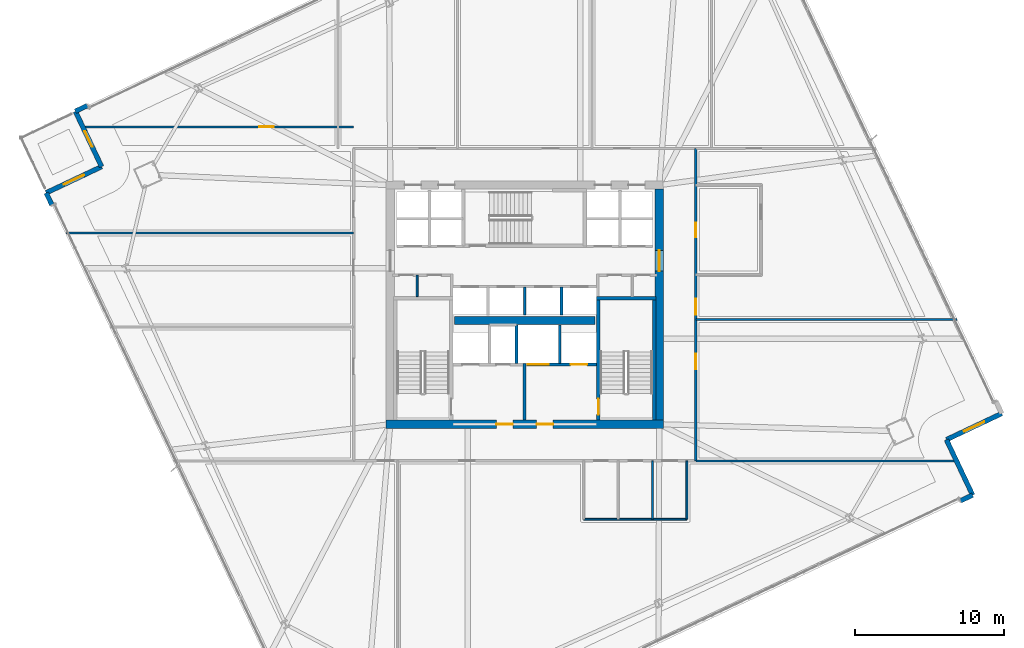
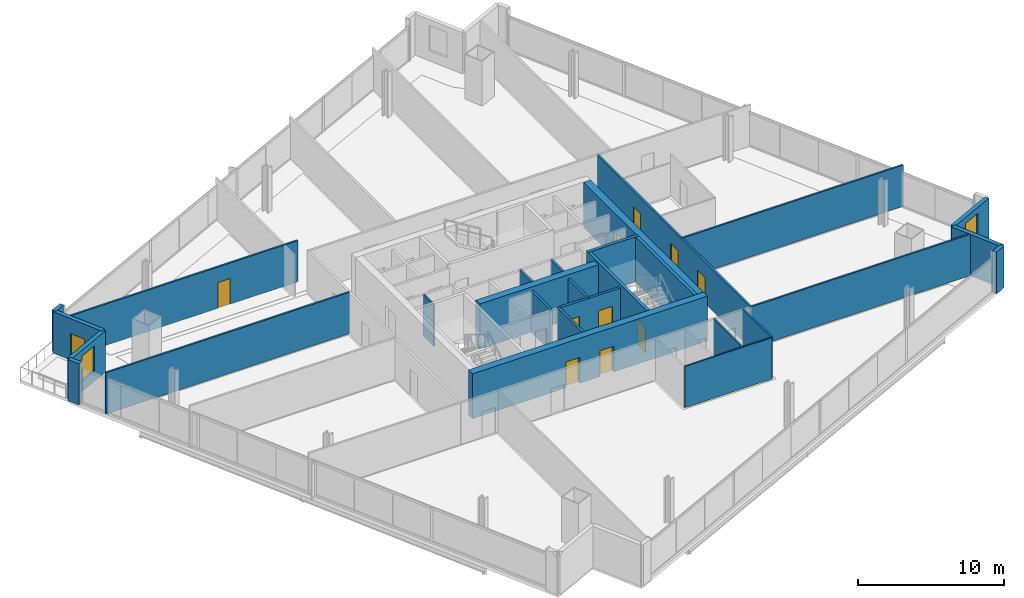
# One storey, part 26 of 34: 28 walls, 11 doors, 2 windows, 13 openings.
"""IFC4 building model written with IfcOpenShell, lengths in metres."""

from ifc_helpers import new_model, si_unit, direction, frame, frame_2d, origin, place, context, subcontext, project, spatial, rectangle, extrude, material, layer, layer_set, type_object, element, fill, save


model = new_model("IFC4")

# Units and contexts
model_context = context("Model", 3, precision=1e-05, world=origin(), true_north=direction((0.0, 1.0)))
body_context = subcontext(model_context, "Body", "Model", "MODEL_VIEW")
ifc_project = project(units=[si_unit("LENGTHUNIT", "METRE"), si_unit("AREAUNIT", "SQUARE_METRE"), si_unit("VOLUMEUNIT", "CUBIC_METRE"), si_unit("PLANEANGLEUNIT", "RADIAN"), si_unit("MASSUNIT", "GRAM", prefix="KILO")], contexts=[model_context])

# Site, building, storey
site_placement = place(None, origin())
site = spatial("IfcSite", under=ifc_project, at=site_placement, CompositionType="ELEMENT")
building_placement = place(site_placement, origin())
building = spatial("IfcBuilding", under=site, at=building_placement, Name="Haldenkirk Collegiate Tower", CompositionType="ELEMENT")
storey_placement = place(building_placement, frame((0.0, 0.0, 112.949951171875)))
storey = spatial("IfcBuildingStorey", under=building, at=storey_placement, Name="L27", CompositionType="ELEMENT", Elevation=112.949951171875)

# Wall, openings, doors
ifc_material_1 = material(Name="Concrete f'c 70 MPa", Category="concrete")
ifc_layer_1 = layer(ifc_material_1, 0.550048828125)
ifc_layer_set_1 = layer_set([ifc_layer_1], Name="Concrete f'c 70 MPa")
wall_type_1 = type_object("IfcWallType", Name="WL-CORE-550", PredefinedType="SHEAR", material=ifc_layer_set_1)
wall_1_placement = place(storey_placement, frame((26.72509765625, 18.0, 0.0), z_axis=(0.0, 0.0, 1.0), x_axis=(1.0, 0.0, 0.0)))
wall_1 = element("IfcWall", 1, at=wall_1_placement, inside=storey, type_object=wall_type_1, Name="L27 central core shear wall S", PredefinedType="SHEAR", context=body_context, shape_type="SweptSolid", body=[
    extrude(rectangle(XDim=18.5498046875, YDim=0.550048828125, at=frame_2d((9.27490234375, 0.0))), origin(), (0.0, 0.0, 1.0), 3.75),
])
opening_1_placement = place(wall_1_placement, frame((7.375, 0.0, 0.0)))
opening_1 = element("IfcOpeningElement", 2, at=opening_1_placement, cuts=wall_1, Name="Opening D-02", PredefinedType="OPENING", context=body_context, shape_type="SweptSolid", body=[
    extrude(rectangle(XDim=1.10009765625, YDim=2.14990234375, at=frame_2d((0.550048828125, 1.074951171875))), frame((0.0, 0.284912109375, 0.0), z_axis=(0.0, -1.0, 0.0), x_axis=(1.0, 0.0, 0.0)), (0.0, 0.0, 1.0), 0.570068359375),
])
opening_2_placement = place(wall_1_placement, frame((10.074951171875, 0.0, 0.0)))
opening_2 = element("IfcOpeningElement", 3, at=opening_2_placement, cuts=wall_1, Name="Opening D-02", PredefinedType="OPENING", context=body_context, shape_type="SweptSolid", body=[
    extrude(rectangle(XDim=1.10009765625, YDim=2.14990234375, at=frame_2d((0.550048828125, 1.074951171875))), frame((0.0, 0.284912109375, 0.0), z_axis=(0.0, -1.0, 0.0), x_axis=(1.0, 0.0, 0.0)), (0.0, 0.0, 1.0), 0.570068359375),
])
ifc_material_2 = material(Name="Galvanized fire-rated hollow steel door", Category="steel")
ifc_layer_2 = layer(ifc_material_2, 0.06005859375)
ifc_layer_set_2 = layer_set([ifc_layer_2], Name="Galvanized fire-rated hollow steel door")
door_type_1 = type_object("IfcDoorType", Name="DR-STAIR-FD90-1100", OperationType="NOTDEFINED", PredefinedType="DOOR", material=ifc_layer_set_2)
door_1_placement = place(opening_1_placement, origin())
door_1 = element("IfcDoor", 4, at=door_1_placement, inside=storey, type_object=door_type_1, Name="L27 Firefighting Lobby 1 door", OperationType="SINGLE_SWING_RIGHT", OverallHeight=2.14990234375, OverallWidth=1.10009765625, PredefinedType="DOOR", context=body_context, shape_type="SweptSolid", body=[
    extrude(rectangle(XDim=1.10009765625, YDim=2.14990234375, at=frame_2d((0.550048828125, 1.074951171875))), frame((0.0, 0.02490234375, 0.0), z_axis=(0.0, -1.0, 0.0), x_axis=(1.0, 0.0, 0.0)), (0.0, 0.0, 1.0), 0.050048828125),
])
fill(opening_1, door_1)
door_2_placement = place(opening_2_placement, origin())
door_2 = element("IfcDoor", 5, at=door_2_placement, inside=storey, type_object=door_type_1, Name="L27 Firefighting Lobby 2 door", OperationType="SINGLE_SWING_LEFT", OverallHeight=2.14990234375, OverallWidth=1.10009765625, PredefinedType="DOOR", context=body_context, shape_type="SweptSolid", body=[
    extrude(rectangle(XDim=1.10009765625, YDim=2.14990234375, at=frame_2d((0.550048828125, 1.074951171875))), frame((0.0, 0.02490234375, 0.0), z_axis=(0.0, -1.0, 0.0), x_axis=(1.0, 0.0, 0.0)), (0.0, 0.0, 1.0), 0.050048828125),
])
fill(opening_2, door_2)

# Wall, opening, door
wall_2_placement = place(storey_placement, frame((45.0, 18.27490234375, 0.0), z_axis=(0.0, 0.0, 1.0), x_axis=(0.0, 1.0, 0.0)))
wall_2 = element("IfcWall", 6, at=wall_2_placement, inside=storey, type_object=wall_type_1, Name="L27 central core shear wall E", PredefinedType="SHEAR", context=body_context, shape_type="SweptSolid", body=[
    extrude(rectangle(XDim=15.4501953125, YDim=0.550048828125, at=frame_2d((7.72509765625, 0.0))), origin(), (0.0, 0.0, 1.0), 3.75),
])
opening_3_placement = place(wall_2_placement, frame((9.965087890625, 0.0, 0.0)))
opening_3 = element("IfcOpeningElement", 7, at=opening_3_placement, cuts=wall_2, Name="Opening D-03", PredefinedType="OPENING", context=body_context, shape_type="SweptSolid", body=[
    extrude(rectangle(XDim=1.39990234375, YDim=2.199951171875, at=frame_2d((0.699951171875, 1.10009765625))), frame((0.0, 0.284912109375, 0.0), z_axis=(0.0, -1.0, 0.0), x_axis=(1.0, 0.0, 0.0)), (0.0, 0.0, 1.0), 0.570068359375),
])
ifc_layer_3 = layer(ifc_material_2, 0.06005859375)
ifc_layer_set_3 = layer_set([ifc_layer_3], Name="Galvanized fire-rated hollow steel door")
door_type_2 = type_object("IfcDoorType", Name="DR-LOBBY-FD90-1400", OperationType="NOTDEFINED", PredefinedType="DOOR", material=ifc_layer_set_3)
door_3_placement = place(opening_3_placement, origin())
door_3 = element("IfcDoor", 8, at=door_3_placement, inside=storey, type_object=door_type_2, Name="L27 east lift lobby portal", OperationType="DOUBLE_DOOR_SINGLE_SWING", OverallHeight=2.199951171875, OverallWidth=1.39990234375, PredefinedType="DOOR", context=body_context, shape_type="SweptSolid", body=[
    extrude(rectangle(XDim=1.39990234375, YDim=2.199951171875, at=frame_2d((0.699951171875, 1.10009765625))), frame((0.0, 0.02490234375, 0.0), z_axis=(0.0, -1.0, 0.0), x_axis=(1.0, 0.0, 0.0)), (0.0, 0.0, 1.0), 0.050048828125),
])
fill(opening_3, door_3)

# Walls
wall_3_placement = place(storey_placement, frame((31.31005859375, 24.949951171875, 0.0), z_axis=(0.0, 0.0, 1.0), x_axis=(1.0, 0.0, 0.0)))
element("IfcWall", 9, at=wall_3_placement, inside=storey, type_object=wall_type_1, Name="L27 central core spine shear wall", PredefinedType="SHEAR", context=body_context, shape_type="SweptSolid", body=[
    extrude(rectangle(XDim=9.3798828125, YDim=0.550048828125, at=frame_2d((4.68994140625, 0.0))), origin(), (0.0, 0.0, 1.0), 3.75),
])
ifc_material_3 = material(Name="Precast concrete f'c 40 MPa", Category="concrete")
ifc_layer_4 = layer(ifc_material_3, 0.320068359375)
ifc_layer_set_4 = layer_set([ifc_layer_4], Name="Precast concrete f'c 40 MPa")
wall_type_2 = type_object("IfcWallType", Name="WL-EXT-TWR-320", PredefinedType="STANDARD", material=ifc_layer_set_4)
wall_4_placement = place(storey_placement, frame((65.968994140625, 13.260498046875, 0.0), z_axis=(0.0, 0.0, 1.0), x_axis=(-0.904135144494, -0.427246580432, 0.0)))
element("IfcWall", 10, at=wall_4_placement, inside=storey, type_object=wall_type_2, Name="L27 precast corner pier SL", PredefinedType="STANDARD", context=body_context, shape_type="SweptSolid", body=[
    extrude(rectangle(XDim=0.89990234375, YDim=0.320068359375, at=frame_2d((0.449951171875, 0.0))), origin(), (0.0, 0.0, 1.0), 3.449951171875),
])
wall_5_placement = place(storey_placement, frame((64.216796875, 16.96728515625, 0.0), z_axis=(0.0, 0.0, 1.0), x_axis=(0.427359264105, -0.904081887543, 0.0)))
element("IfcWall", 11, at=wall_5_placement, inside=storey, type_object=wall_type_2, Name="L27 bronze precast notch wall 02", PredefinedType="STANDARD", context=body_context, shape_type="SweptSolid", body=[
    extrude(rectangle(XDim=4.10009765625, YDim=0.320068359375, at=frame_2d((2.050048828125, 0.0))), origin(), (0.0, 0.0, 1.0), 3.449951171875),
])

# Wall, opening, window
wall_6_placement = place(storey_placement, frame((67.92333984375, 18.719482421875, 0.0), z_axis=(0.0, 0.0, 1.0), x_axis=(-0.904071011486, -0.427382271732, 0.0)))
wall_6 = element("IfcWall", 12, at=wall_6_placement, inside=storey, type_object=wall_type_2, Name="L27 bronze precast notch wall 03", PredefinedType="STANDARD", context=body_context, shape_type="SweptSolid", body=[
    extrude(rectangle(XDim=4.099853515625, YDim=0.320068359375, at=frame_2d((2.0498046875, 0.0))), origin(), (0.0, 0.0, 1.0), 3.449951171875),
])
opening_4_placement = place(wall_6_placement, frame((1.300048828125, 0.0, 0.85009765625)))
opening_4 = element("IfcOpeningElement", 13, at=opening_4_placement, cuts=wall_6, Name="Opening W-04", PredefinedType="OPENING", context=body_context, shape_type="SweptSolid", body=[
    extrude(rectangle(XDim=1.5, YDim=2.10009765625, at=frame_2d((0.75, 1.050048828125))), frame((0.0, 0.169921875, 0.0), z_axis=(0.0, -1.0, 0.0), x_axis=(1.0, 0.0, 0.0)), (0.0, 0.0, 1.0), 0.340087890625),
])
ifc_material_4 = material(Name="Low-E argon triple insulating glass", Category="glass")
ifc_layer_5 = layer(ifc_material_4, 0.090087890625)
ifc_layer_set_5 = layer_set([ifc_layer_5], Name="Low-E argon triple insulating glass")
window_type = type_object("IfcWindowType", Name="WN-Z2-1500X2100", PartitioningType="SINGLE_PANEL", PredefinedType="WINDOW", material=ifc_layer_set_5)
window_1_placement = place(opening_4_placement, origin())
window_1 = element("IfcWindow", 14, at=window_1_placement, inside=storey, type_object=window_type, Name="L27 precast-frame academic window 2", OverallHeight=2.10009765625, OverallWidth=1.5, PartitioningType="SINGLE_PANEL", PredefinedType="WINDOW", context=body_context, shape_type="SweptSolid", body=[
    extrude(rectangle(XDim=1.5, YDim=2.10009765625, at=frame_2d((0.75, 1.050048828125))), frame((0.0, 0.030029296875, 0.0), z_axis=(0.0, -1.0, 0.0), x_axis=(1.0, 0.0, 0.0)), (0.0, 0.0, 1.0), 0.06005859375),
])
fill(opening_4, window_1)

# Wall
wall_7_placement = place(storey_placement, frame((5.93505859375, 38.94287109375, 0.0), z_axis=(0.0, 0.0, 1.0), x_axis=(0.904135144494, 0.427246580432, 0.0)))
element("IfcWall", 15, at=wall_7_placement, inside=storey, type_object=wall_type_2, Name="L27 precast corner pier NL", PredefinedType="STANDARD", context=body_context, shape_type="SweptSolid", body=[
    extrude(rectangle(XDim=0.89990234375, YDim=0.320068359375, at=frame_2d((0.449951171875, 0.0))), origin(), (0.0, 0.0, 1.0), 3.449951171875),
])

# Wall, opening, door
wall_8_placement = place(storey_placement, frame((7.68701171875, 35.236083984375, 0.0), z_axis=(0.0, 0.0, 1.0), x_axis=(-0.427310591757, 0.904104893346, 0.0)))
wall_8 = element("IfcWall", 16, at=wall_8_placement, inside=storey, type_object=wall_type_2, Name="L27 bronze precast notch wall 08", PredefinedType="STANDARD", context=body_context, shape_type="SweptSolid", body=[
    extrude(rectangle(XDim=4.099853515625, YDim=0.320068359375, at=frame_2d((2.0498046875, 0.0))), origin(), (0.0, 0.0, 1.0), 3.449951171875),
])
opening_5_placement = place(wall_8_placement, frame((1.47509765625, 0.0, 0.0)))
opening_5 = element("IfcOpeningElement", 17, at=opening_5_placement, cuts=wall_8, Name="Opening D-ST11", PredefinedType="OPENING", context=body_context, shape_type="SweptSolid", body=[
    extrude(rectangle(XDim=1.14990234375, YDim=2.199951171875, at=frame_2d((0.574951171875, 1.10009765625))), frame((0.0, 0.169921875, 0.0), z_axis=(0.0, -1.0, 0.0), x_axis=(1.0, 0.0, 0.0)), (0.0, 0.0, 1.0), 0.340087890625),
])
ifc_material_5 = material(Name="Anodised architectural bronze aluminium", Category="aluminium")
ifc_layer_6 = layer(ifc_material_5, 0.080078125)
ifc_layer_set_6 = layer_set([ifc_layer_6], Name="Anodised architectural bronze aluminium")
door_type_3 = type_object("IfcDoorType", Name="DR-EXT-STER-1150", OperationType="NOTDEFINED", PredefinedType="DOOR", material=ifc_layer_set_6)
door_4_placement = place(opening_5_placement, origin())
door_4 = element("IfcDoor", 18, at=door_4_placement, inside=storey, type_object=door_type_3, Name="L27 spiralling terrace door", OperationType="SINGLE_SWING_RIGHT", OverallHeight=2.199951171875, OverallWidth=1.14990234375, PredefinedType="DOOR", context=body_context, shape_type="SweptSolid", body=[
    extrude(rectangle(XDim=1.14990234375, YDim=2.199951171875, at=frame_2d((0.574951171875, 1.10009765625))), frame((0.0, 0.02490234375, 0.0), z_axis=(0.0, -1.0, 0.0), x_axis=(1.0, 0.0, 0.0)), (0.0, 0.0, 1.0), 0.050048828125),
])
fill(opening_5, door_4)

# Wall, opening, window
wall_9_placement = place(storey_placement, frame((3.98046875, 33.48388671875, 0.0), z_axis=(0.0, 0.0, 1.0), x_axis=(0.904071011486, 0.427382271732, 0.0)))
wall_9 = element("IfcWall", 19, at=wall_9_placement, inside=storey, type_object=wall_type_2, Name="L27 bronze precast notch wall 09", PredefinedType="STANDARD", context=body_context, shape_type="SweptSolid", body=[
    extrude(rectangle(XDim=4.099853515625, YDim=0.320068359375, at=frame_2d((2.0498046875, 0.0))), origin(), (0.0, 0.0, 1.0), 3.449951171875),
])
opening_6_placement = place(wall_9_placement, frame((1.300048828125, 0.0, 0.85009765625)))
opening_6 = element("IfcOpeningElement", 20, at=opening_6_placement, cuts=wall_9, Name="Opening W-04", PredefinedType="OPENING", context=body_context, shape_type="SweptSolid", body=[
    extrude(rectangle(XDim=1.5, YDim=2.10009765625, at=frame_2d((0.75, 1.050048828125))), frame((0.0, 0.169921875, 0.0), z_axis=(0.0, -1.0, 0.0), x_axis=(1.0, 0.0, 0.0)), (0.0, 0.0, 1.0), 0.340087890625),
])
window_2_placement = place(opening_6_placement, origin())
window_2 = element("IfcWindow", 21, at=window_2_placement, inside=storey, type_object=window_type, Name="L27 precast-frame academic window 8", OverallHeight=2.10009765625, OverallWidth=1.5, PartitioningType="SINGLE_PANEL", PredefinedType="WINDOW", context=body_context, shape_type="SweptSolid", body=[
    extrude(rectangle(XDim=1.5, YDim=2.10009765625, at=frame_2d((0.75, 1.050048828125))), frame((0.0, 0.030029296875, 0.0), z_axis=(0.0, -1.0, 0.0), x_axis=(1.0, 0.0, 0.0)), (0.0, 0.0, 1.0), 0.06005859375),
])
fill(opening_6, window_2)

# Wall
wall_10_placement = place(storey_placement, frame((4.364990234375, 32.67041015625, 0.0), z_axis=(0.0, 0.0, 1.0), x_axis=(-0.427351390888, 0.904085609169, 0.0)))
element("IfcWall", 22, at=wall_10_placement, inside=storey, type_object=wall_type_2, Name="L27 precast corner pier WR", PredefinedType="STANDARD", context=body_context, shape_type="SweptSolid", body=[
    extrude(rectangle(XDim=0.899658203125, YDim=0.320068359375, at=frame_2d((0.44970703125, 0.0))), origin(), (0.0, 0.0, 1.0), 3.449951171875),
])

# Wall, openings, doors
ifc_material_6 = material(Name="Acoustic fire-rated gypsum partition", Category="concrete")
ifc_layer_7 = layer(ifc_material_6, 0.159912109375)
ifc_layer_set_7 = layer_set([ifc_layer_7], Name="Acoustic fire-rated gypsum partition")
wall_type_3 = type_object("IfcWallType", Name="WL-INT-CORR-160", PredefinedType="PARTITIONING", material=ifc_layer_set_7)
wall_11_placement = place(storey_placement, frame((47.449951171875, 15.550048828125, 0.0), z_axis=(0.0, 0.0, 1.0), x_axis=(0.0, 1.0, 0.0)))
wall_11 = element("IfcWall", 23, at=wall_11_placement, inside=storey, type_object=wall_type_3, Name="L27 interior partition IW-L27-CE", PredefinedType="PARTITIONING", context=body_context, shape_type="SweptSolid", body=[
    extrude(rectangle(XDim=20.89990234375, YDim=0.159912109375, at=frame_2d((10.449951171875, 0.0))), origin(), (0.0, 0.0, 1.0), 3.449951171875),
])
opening_7_placement = place(wall_11_placement, frame((14.97509765625, 0.0, 0.0)))
opening_7 = element("IfcOpeningElement", 24, at=opening_7_placement, cuts=wall_11, Name="Opening D-10", PredefinedType="OPENING", context=body_context, shape_type="SweptSolid", body=[
    extrude(rectangle(XDim=0.949951171875, YDim=2.14990234375, at=frame_2d((0.47509765625, 1.074951171875))), frame((0.0, 0.08984375, 0.0), z_axis=(0.0, -1.0, 0.0), x_axis=(1.0, 0.0, 0.0)), (0.0, 0.0, 1.0), 0.179931640625),
])
opening_8_placement = place(wall_11_placement, frame((6.126953125, 0.0, 0.0)))
opening_8 = element("IfcOpeningElement", 25, at=opening_8_placement, cuts=wall_11, Name="Opening D-09", PredefinedType="OPENING", context=body_context, shape_type="SweptSolid", body=[
    extrude(rectangle(XDim=1.050048828125, YDim=2.14990234375, at=frame_2d((0.52490234375, 1.074951171875))), frame((0.0, 0.08984375, 0.0), z_axis=(0.0, -1.0, 0.0), x_axis=(1.0, 0.0, 0.0)), (0.0, 0.0, 1.0), 0.179931640625),
])
opening_9_placement = place(wall_11_placement, frame((9.791015625, 0.0, 0.0)))
opening_9 = element("IfcOpeningElement", 26, at=opening_9_placement, cuts=wall_11, Name="Opening D-09", PredefinedType="OPENING", context=body_context, shape_type="SweptSolid", body=[
    extrude(rectangle(XDim=1.050048828125, YDim=2.14990234375, at=frame_2d((0.52490234375, 1.074951171875))), frame((0.0, 0.08984375, 0.0), z_axis=(0.0, -1.0, 0.0), x_axis=(1.0, 0.0, 0.0)), (0.0, 0.0, 1.0), 0.179931640625),
])
ifc_material_7 = material(Name="Solid-core architectural oak fire door", Category="wood")
ifc_layer_8 = layer(ifc_material_7, 0.06005859375)
ifc_layer_set_8 = layer_set([ifc_layer_8], Name="Solid-core architectural oak fire door")
door_type_4 = type_object("IfcDoorType", Name="DR-INT-FD60-1050", OperationType="NOTDEFINED", PredefinedType="DOOR", material=ifc_layer_set_8)
door_5_placement = place(opening_8_placement, origin())
door_5 = element("IfcDoor", 27, at=door_5_placement, inside=storey, type_object=door_type_4, Name="L27 Departmental Archive 11 door", OperationType="SINGLE_SWING_RIGHT", OverallHeight=2.14990234375, OverallWidth=1.050048828125, PredefinedType="DOOR", context=body_context, shape_type="SweptSolid", body=[
    extrude(rectangle(XDim=1.050048828125, YDim=2.14990234375, at=frame_2d((0.52490234375, 1.074951171875))), frame((0.0, 0.02490234375, 0.0), z_axis=(0.0, -1.0, 0.0), x_axis=(1.0, 0.0, 0.0)), (0.0, 0.0, 1.0), 0.050048828125),
])
fill(opening_8, door_5)
door_6_placement = place(opening_9_placement, origin())
door_6 = element("IfcDoor", 28, at=door_6_placement, inside=storey, type_object=door_type_4, Name="L27 Cleanroom Prep Store 12 door", OperationType="SINGLE_SWING_LEFT", OverallHeight=2.14990234375, OverallWidth=1.050048828125, PredefinedType="DOOR", context=body_context, shape_type="SweptSolid", body=[
    extrude(rectangle(XDim=1.050048828125, YDim=2.14990234375, at=frame_2d((0.52490234375, 1.074951171875))), frame((0.0, 0.02490234375, 0.0), z_axis=(0.0, -1.0, 0.0), x_axis=(1.0, 0.0, 0.0)), (0.0, 0.0, 1.0), 0.050048828125),
])
fill(opening_9, door_6)
ifc_layer_9 = layer(ifc_material_7, 0.06005859375)
ifc_layer_set_9 = layer_set([ifc_layer_9], Name="Solid-core architectural oak fire door")
door_type_5 = type_object("IfcDoorType", Name="DR-INT-FD60-950", OperationType="NOTDEFINED", PredefinedType="DOOR", material=ifc_layer_set_9)
door_7_placement = place(opening_7_placement, origin())
door_7 = element("IfcDoor", 29, at=door_7_placement, inside=storey, type_object=door_type_5, Name="L27 East Graduate Study Pod corridor door", OperationType="SINGLE_SWING_RIGHT", OverallHeight=2.14990234375, OverallWidth=0.949951171875, PredefinedType="DOOR", context=body_context, shape_type="SweptSolid", body=[
    extrude(rectangle(XDim=0.949951171875, YDim=2.14990234375, at=frame_2d((0.47509765625, 1.074951171875))), frame((0.0, 0.02490234375, 0.0), z_axis=(0.0, -1.0, 0.0), x_axis=(1.0, 0.0, 0.0)), (0.0, 0.0, 1.0), 0.050048828125),
])
fill(opening_7, door_7)

# Wall, opening, door
ifc_layer_10 = layer(ifc_material_6, 0.139892578125)
ifc_layer_set_10 = layer_set([ifc_layer_10], Name="Acoustic fire-rated gypsum partition")
wall_type_4 = type_object("IfcWallType", Name="WL-INT-DIV-140", PredefinedType="PARTITIONING", material=ifc_layer_set_10)
wall_12_placement = place(storey_placement, frame((6.47216796875, 37.89990234375, 0.0), z_axis=(0.0, 0.0, 1.0), x_axis=(1.0, 0.0, 0.0)))
wall_12 = element("IfcWall", 30, at=wall_12_placement, inside=storey, type_object=wall_type_4, Name="L27 interior partition IW-L27-BWN", PredefinedType="PARTITIONING", context=body_context, shape_type="SweptSolid", body=[
    extrude(rectangle(XDim=18.077880859375, YDim=0.139892578125, at=frame_2d((9.0390625, 0.0))), origin(), (0.0, 0.0, 1.0), 3.449951171875),
])
opening_10_placement = place(wall_12_placement, frame((11.768798828125, 0.0, 0.0)))
opening_10 = element("IfcOpeningElement", 31, at=opening_10_placement, cuts=wall_12, Name="Opening D-12", PredefinedType="OPENING", context=body_context, shape_type="SweptSolid", body=[
    extrude(rectangle(XDim=0.949951171875, YDim=2.14990234375, at=frame_2d((0.47509765625, 1.074951171875))), frame((0.0, 0.079833984375, 0.0), z_axis=(0.0, -1.0, 0.0), x_axis=(1.0, 0.0, 0.0)), (0.0, 0.0, 1.0), 0.159912109375),
])
ifc_layer_11 = layer(ifc_material_7, 0.06005859375)
ifc_layer_set_11 = layer_set([ifc_layer_11], Name="Solid-core architectural oak fire door")
door_type_6 = type_object("IfcDoorType", Name="DR-INT-STD-950", OperationType="NOTDEFINED", PredefinedType="DOOR", material=ifc_layer_set_11)
door_8_placement = place(opening_10_placement, origin())
door_8 = element("IfcDoor", 32, at=door_8_placement, inside=storey, type_object=door_type_6, Name="L27 Instrument Store Room 3 door", OperationType="SINGLE_SWING_RIGHT", OverallHeight=2.14990234375, OverallWidth=0.949951171875, PredefinedType="DOOR", context=body_context, shape_type="SweptSolid", body=[
    extrude(rectangle(XDim=0.949951171875, YDim=2.14990234375, at=frame_2d((0.47509765625, 1.074951171875))), frame((0.0, 0.02490234375, 0.0), z_axis=(0.0, -1.0, 0.0), x_axis=(1.0, 0.0, 0.0)), (0.0, 0.0, 1.0), 0.050048828125),
])
fill(opening_10, door_8)

# Walls
wall_13_placement = place(storey_placement, frame((47.449951171875, 15.550048828125, 0.0), z_axis=(0.0, 0.0, 1.0), x_axis=(1.0, 0.0, 0.0)))
element("IfcWall", 33, at=wall_13_placement, inside=storey, type_object=wall_type_4, Name="L27 interior partition IW-L27-BES", PredefinedType="PARTITIONING", context=body_context, shape_type="SweptSolid", body=[
    extrude(rectangle(XDim=17.392333984375, YDim=0.139892578125, at=frame_2d((8.6962890625, 0.0))), origin(), (0.0, 0.0, 1.0), 3.449951171875),
])
wall_14_placement = place(storey_placement, frame((5.29345703125, 30.800048828125, 0.0), z_axis=(0.0, 0.0, 1.0), x_axis=(1.0, 0.0, 0.0)))
element("IfcWall", 34, at=wall_14_placement, inside=storey, type_object=wall_type_4, Name="L27 interior partition IW-L27-RW2", PredefinedType="PARTITIONING", context=body_context, shape_type="SweptSolid", body=[
    extrude(rectangle(XDim=19.256591796875, YDim=0.139892578125, at=frame_2d((9.62841796875, 0.0))), origin(), (0.0, 0.0, 1.0), 3.449951171875),
])
wall_15_placement = place(storey_placement, frame((47.449951171875, 25.0, 0.0), z_axis=(0.0, 0.0, 1.0), x_axis=(1.0, 0.0, 0.0)))
element("IfcWall", 35, at=wall_15_placement, inside=storey, type_object=wall_type_4, Name="L27 interior partition IW-L27-RE1", PredefinedType="PARTITIONING", context=body_context, shape_type="SweptSolid", body=[
    extrude(rectangle(XDim=17.46044921875, YDim=0.139892578125, at=frame_2d((8.730224609375, 0.0))), origin(), (0.0, 0.0, 1.0), 3.449951171875),
])
ifc_material_8 = material(Name="Fire-rated gypsum shaftboard assembly", Category="concrete")
ifc_layer_12 = layer(ifc_material_8, 0.179931640625)
ifc_layer_set_12 = layer_set([ifc_layer_12], Name="Fire-rated gypsum shaftboard assembly")
wall_type_5 = type_object("IfcWallType", Name="WL-INT-SHAFT-180", PredefinedType="PARTITIONING", material=ifc_layer_set_12)
for number, where, z_axis, x_axis, name in (
    (36, (35.449951171875, 22.050048828125, 0.0), (0.0, 0.0, 1.0), (0.0, 1.0, 0.0), "L27 interior partition IW-L27-GL1W"),
    (37, (38.35009765625, 22.050048828125, 0.0), (0.0, 0.0, 1.0), (0.0, 1.0, 0.0), "L27 interior partition IW-L27-GL1E"),
):
    element("IfcWall", number, at=place(storey_placement, frame(where, z_axis=z_axis, x_axis=x_axis)), inside=storey, type_object=wall_type_5, Name=name, PredefinedType="PARTITIONING", context=body_context, shape_type="SweptSolid", body=[
        extrude(rectangle(XDim=2.599853515625, YDim=0.179931640625, at=frame_2d((1.2998046875, 0.0))), origin(), (0.0, 0.0, 1.0), 3.449951171875),
    ])
for number, where, z_axis, x_axis, name in (
    (38, (36.0, 25.300048828125, 0.0), (0.0, 0.0, 1.0), (0.0, 1.0, 0.0), "L27 interior partition IW-L27-PHV2"),
    (39, (38.4599609375, 25.300048828125, 0.0), (0.0, 0.0, 1.0), (0.0, 1.0, 0.0), "L27 interior partition IW-L27-PHV3"),
):
    element("IfcWall", number, at=place(storey_placement, frame(where, z_axis=z_axis, x_axis=x_axis)), inside=storey, type_object=wall_type_5, Name=name, PredefinedType="PARTITIONING", context=body_context, shape_type="SweptSolid", body=[
        extrude(rectangle(XDim=1.89990234375, YDim=0.179931640625, at=frame_2d((0.949951171875, 0.0))), origin(), (0.0, 0.0, 1.0), 3.449951171875),
    ])
ifc_layer_13 = layer(ifc_material_8, 0.199951171875)
ifc_layer_set_13 = layer_set([ifc_layer_13], Name="Fire-rated gypsum shaftboard assembly")
wall_type_6 = type_object("IfcWallType", Name="WL-INT-SHAFT-200", PredefinedType="PARTITIONING", material=ifc_layer_set_13)
wall_16_placement = place(storey_placement, frame((36.0, 18.280029296875, 0.0), z_axis=(0.0, 0.0, 1.0), x_axis=(0.0, 1.0, 0.0)))
element("IfcWall", 40, at=wall_16_placement, inside=storey, type_object=wall_type_6, Name="L27 interior partition IW-L27-FFLM", PredefinedType="PARTITIONING", context=body_context, shape_type="SweptSolid", body=[
    extrude(rectangle(XDim=3.77001953125, YDim=0.199951171875, at=frame_2d((1.885009765625, 0.0))), origin(), (0.0, 0.0, 1.0), 3.449951171875),
])

# Wall, openings, doors
wall_17_placement = place(storey_placement, frame((36.1201171875, 22.0, 0.0), z_axis=(0.0, 0.0, 1.0), x_axis=(1.0, 0.0, 0.0)))
wall_17 = element("IfcWall", 41, at=wall_17_placement, inside=storey, type_object=wall_type_6, Name="L27 interior partition IW-L27-FFL2N", PredefinedType="PARTITIONING", context=body_context, shape_type="SweptSolid", body=[
    extrude(rectangle(XDim=4.68994140625, YDim=0.199951171875, at=frame_2d((2.344970703125, 0.0))), origin(), (0.0, 0.0, 1.0), 3.449951171875),
])
opening_11_placement = place(wall_17_placement, frame((2.955078125, 0.0, 0.0)))
opening_11 = element("IfcOpeningElement", 42, at=opening_11_placement, cuts=wall_17, Name="Opening LD-12", PredefinedType="OPENING", context=body_context, shape_type="SweptSolid", body=[
    extrude(rectangle(XDim=1.10009765625, YDim=2.14990234375, at=frame_2d((0.550048828125, 1.074951171875))), frame((0.0, 0.10986328125, 0.0), z_axis=(0.0, -1.0, 0.0), x_axis=(1.0, 0.0, 0.0)), (0.0, 0.0, 1.0), 0.219970703125),
])
opening_12_placement = place(wall_17_placement, frame((0.080078125, 0.0, 0.0)))
opening_12 = element("IfcOpeningElement", 43, at=opening_12_placement, cuts=wall_17, Name="Opening LD-13", PredefinedType="OPENING", context=body_context, shape_type="SweptSolid", body=[
    extrude(rectangle(XDim=1.39990234375, YDim=2.199951171875, at=frame_2d((0.699951171875, 1.10009765625))), frame((0.0, 0.10986328125, 0.0), z_axis=(0.0, -1.0, 0.0), x_axis=(1.0, 0.0, 0.0)), (0.0, 0.0, 1.0), 0.219970703125),
])
ifc_material_9 = material(Name="Brushed architectural stainless steel", Category="steel")
ifc_layer_14 = layer(ifc_material_9, 0.06005859375)
ifc_layer_set_14 = layer_set([ifc_layer_14], Name="Brushed architectural stainless steel")
door_type_7 = type_object("IfcDoorType", Name="LD-FIRE-1100", OperationType="NOTDEFINED", PredefinedType="DOOR", material=ifc_layer_set_14)
door_9_placement = place(opening_11_placement, origin())
door_9 = element("IfcDoor", 44, at=door_9_placement, inside=storey, type_object=door_type_7, Name="L27 Elevator FL2 sliding landing door", OperationType="SLIDING_TO_LEFT", OverallHeight=2.14990234375, OverallWidth=1.10009765625, PredefinedType="DOOR", context=body_context, shape_type="SweptSolid", body=[
    extrude(rectangle(XDim=1.10009765625, YDim=2.14990234375, at=frame_2d((0.550048828125, 1.074951171875))), frame((0.0, 0.02490234375, 0.0), z_axis=(0.0, -1.0, 0.0), x_axis=(1.0, 0.0, 0.0)), (0.0, 0.0, 1.0), 0.050048828125),
])
fill(opening_11, door_9)
ifc_layer_15 = layer(ifc_material_9, 0.06005859375)
ifc_layer_set_15 = layer_set([ifc_layer_15], Name="Brushed architectural stainless steel")
door_type_8 = type_object("IfcDoorType", Name="LD-GOODS-1400", OperationType="NOTDEFINED", PredefinedType="DOOR", material=ifc_layer_set_15)
door_10_placement = place(opening_12_placement, origin())
door_10 = element("IfcDoor", 45, at=door_10_placement, inside=storey, type_object=door_type_8, Name="L27 Elevator GL1 sliding landing door", OperationType="SLIDING_TO_LEFT", OverallHeight=2.199951171875, OverallWidth=1.39990234375, PredefinedType="DOOR", context=body_context, shape_type="SweptSolid", body=[
    extrude(rectangle(XDim=1.39990234375, YDim=2.199951171875, at=frame_2d((0.699951171875, 1.10009765625))), frame((0.0, 0.02490234375, 0.0), z_axis=(0.0, -1.0, 0.0), x_axis=(1.0, 0.0, 0.0)), (0.0, 0.0, 1.0), 0.050048828125),
])
fill(opening_12, door_10)

# Walls
ifc_layer_16 = layer(ifc_material_6, 0.1201171875)
ifc_layer_set_16 = layer_set([ifc_layer_16], Name="Acoustic fire-rated gypsum partition")
wall_type_7 = type_object("IfcWallType", Name="WL-INT-WET-120", PredefinedType="PARTITIONING", material=ifc_layer_set_16)
wall_18_placement = place(storey_placement, frame((28.800048828125, 26.5400390625, 0.0), z_axis=(0.0, 0.0, 1.0), x_axis=(0.0, 1.0, 0.0)))
element("IfcWall", 46, at=wall_18_placement, inside=storey, type_object=wall_type_7, Name="L27 interior partition IW-L27-VCSW-M", PredefinedType="PARTITIONING", context=body_context, shape_type="SweptSolid", body=[
    extrude(rectangle(XDim=1.43994140625, YDim=0.1201171875, at=frame_2d((0.719970703125, 0.0))), origin(), (0.0, 0.0, 1.0), 3.449951171875),
])
for number, where, z_axis, x_axis, name in (
    (47, (44.550048828125, 11.64990234375, 0.0), (0.0, 0.0, 1.0), (0.0, 1.0, 0.0), "L27 interior partition IW-L27-WC2"),
    (48, (46.85009765625, 11.64990234375, 0.0), (0.0, 0.0, 1.0), (0.0, 1.0, 0.0), "L27 interior partition IW-L27-WCE"),
):
    element("IfcWall", number, at=place(storey_placement, frame(where, z_axis=z_axis, x_axis=x_axis)), inside=storey, type_object=wall_type_7, Name=name, PredefinedType="PARTITIONING", context=body_context, shape_type="SweptSolid", body=[
        extrude(rectangle(XDim=3.900146484375, YDim=0.1201171875, at=frame_2d((1.9501953125, 0.0))), origin(), (0.0, 0.0, 1.0), 3.449951171875),
    ])
wall_19_placement = place(storey_placement, frame((39.949951171875, 11.64990234375, 0.0), z_axis=(0.0, 0.0, 1.0), x_axis=(1.0, 0.0, 0.0)))
element("IfcWall", 49, at=wall_19_placement, inside=storey, type_object=wall_type_7, Name="L27 interior partition IW-L27-WCB", PredefinedType="PARTITIONING", context=body_context, shape_type="SweptSolid", body=[
    extrude(rectangle(XDim=6.900146484375, YDim=0.1201171875, at=frame_2d((3.4501953125, 0.0))), origin(), (0.0, 0.0, 1.0), 3.449951171875),
])

# Wall, opening, door
ifc_material_10 = material(Name="Concrete f'c 55 MPa", Category="concrete")
ifc_layer_17 = layer(ifc_material_10, 0.239990234375)
ifc_layer_set_17 = layer_set([ifc_layer_17], Name="Concrete f'c 55 MPa")
wall_type_8 = type_object("IfcWallType", Name="WL-SHAFT-240", PredefinedType="SHEAR", material=ifc_layer_set_17)
wall_20_placement = place(storey_placement, frame((40.929931640625, 18.280029296875, 0.0), z_axis=(0.0, 0.0, 1.0), x_axis=(0.0, 1.0, 0.0)))
wall_20 = element("IfcWall", 50, at=wall_20_placement, inside=storey, type_object=wall_type_8, Name="L27 stair shaft shear wall SW-L27-ST2W", PredefinedType="SHEAR", context=body_context, shape_type="SweptSolid", body=[
    extrude(rectangle(XDim=8.260009765625, YDim=0.239990234375, at=frame_2d((4.1298828125, 0.0))), origin(), (0.0, 0.0, 1.0), 3.75),
])
opening_13_placement = place(wall_20_placement, frame((0.364990234375, 0.0, 0.0)))
opening_13 = element("IfcOpeningElement", 51, at=opening_13_placement, cuts=wall_20, Name="Opening D-01", PredefinedType="OPENING", context=body_context, shape_type="SweptSolid", body=[
    extrude(rectangle(XDim=1.050048828125, YDim=2.14990234375, at=frame_2d((0.52490234375, 1.074951171875))), frame((0.0, 0.1298828125, 0.0), z_axis=(0.0, -1.0, 0.0), x_axis=(1.0, 0.0, 0.0)), (0.0, 0.0, 1.0), 0.260009765625),
])
ifc_layer_18 = layer(ifc_material_2, 0.06005859375)
ifc_layer_set_18 = layer_set([ifc_layer_18], Name="Galvanized fire-rated hollow steel door")
door_type_9 = type_object("IfcDoorType", Name="DR-STAIR-FD90-1050", OperationType="NOTDEFINED", PredefinedType="DOOR", material=ifc_layer_set_18)
door_11_placement = place(opening_13_placement, origin())
door_11 = element("IfcDoor", 52, at=door_11_placement, inside=storey, type_object=door_type_9, Name="L27 Stair 2 door", OperationType="SINGLE_SWING_RIGHT", OverallHeight=2.14990234375, OverallWidth=1.050048828125, PredefinedType="DOOR", context=body_context, shape_type="SweptSolid", body=[
    extrude(rectangle(XDim=1.050048828125, YDim=2.14990234375, at=frame_2d((0.52490234375, 1.074951171875))), frame((0.0, 0.02490234375, 0.0), z_axis=(0.0, -1.0, 0.0), x_axis=(1.0, 0.0, 0.0)), (0.0, 0.0, 1.0), 0.050048828125),
])
fill(opening_13, door_11)

# Walls
wall_21_placement = place(storey_placement, frame((40.81005859375, 26.419921875, 0.0), z_axis=(0.0, 0.0, 1.0), x_axis=(1.0, 0.0, 0.0)))
element("IfcWall", 53, at=wall_21_placement, inside=storey, type_object=wall_type_8, Name="L27 stair shaft shear wall SW-L27-ST2N", PredefinedType="SHEAR", context=body_context, shape_type="SweptSolid", body=[
    extrude(rectangle(XDim=3.97998046875, YDim=0.239990234375, at=frame_2d((1.989990234375, 0.0))), origin(), (0.0, 0.0, 1.0), 3.75),
])
wall_22_placement = place(storey_placement, frame((44.669921875, 18.280029296875, 0.0), z_axis=(0.0, 0.0, 1.0), x_axis=(0.0, 1.0, 0.0)))
element("IfcWall", 54, at=wall_22_placement, inside=storey, type_object=wall_type_8, Name="L27 stair shaft shear wall SW-L27-ST2E", PredefinedType="SHEAR", context=body_context, shape_type="SweptSolid", body=[
    extrude(rectangle(XDim=8.260009765625, YDim=0.239990234375, at=frame_2d((4.1298828125, 0.0))), origin(), (0.0, 0.0, 1.0), 3.75),
])

save(model, "model.ifc")
